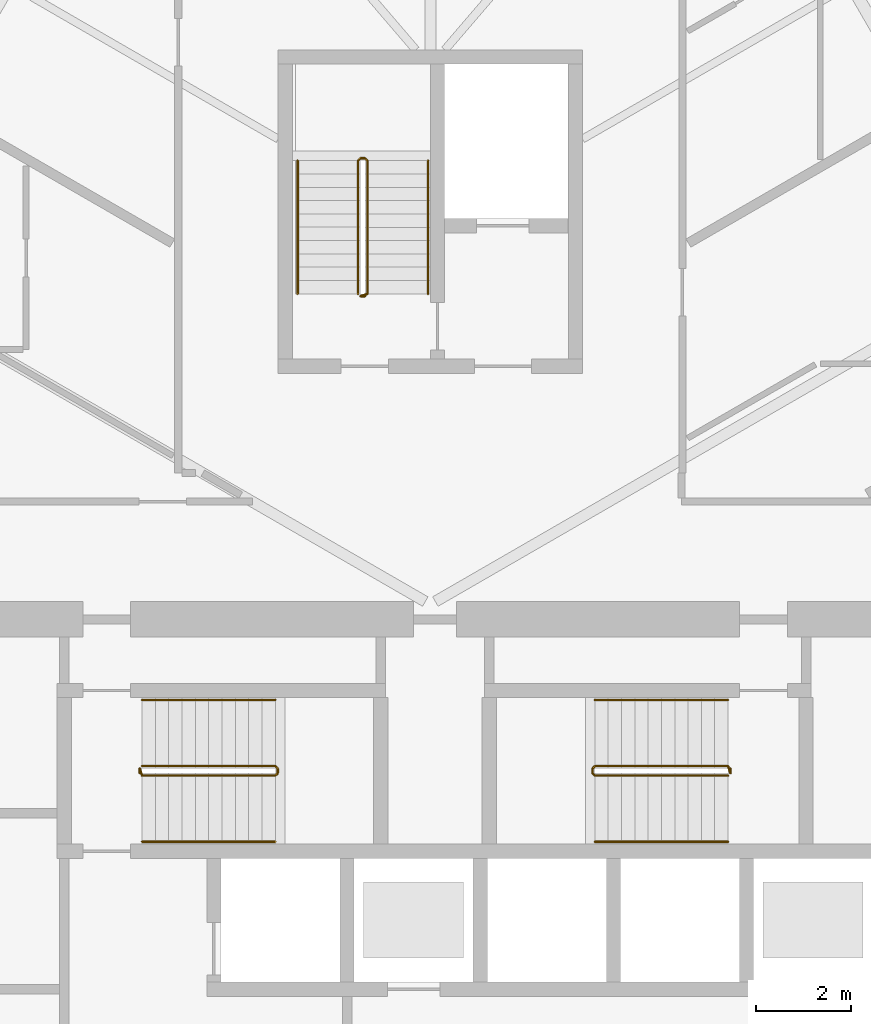
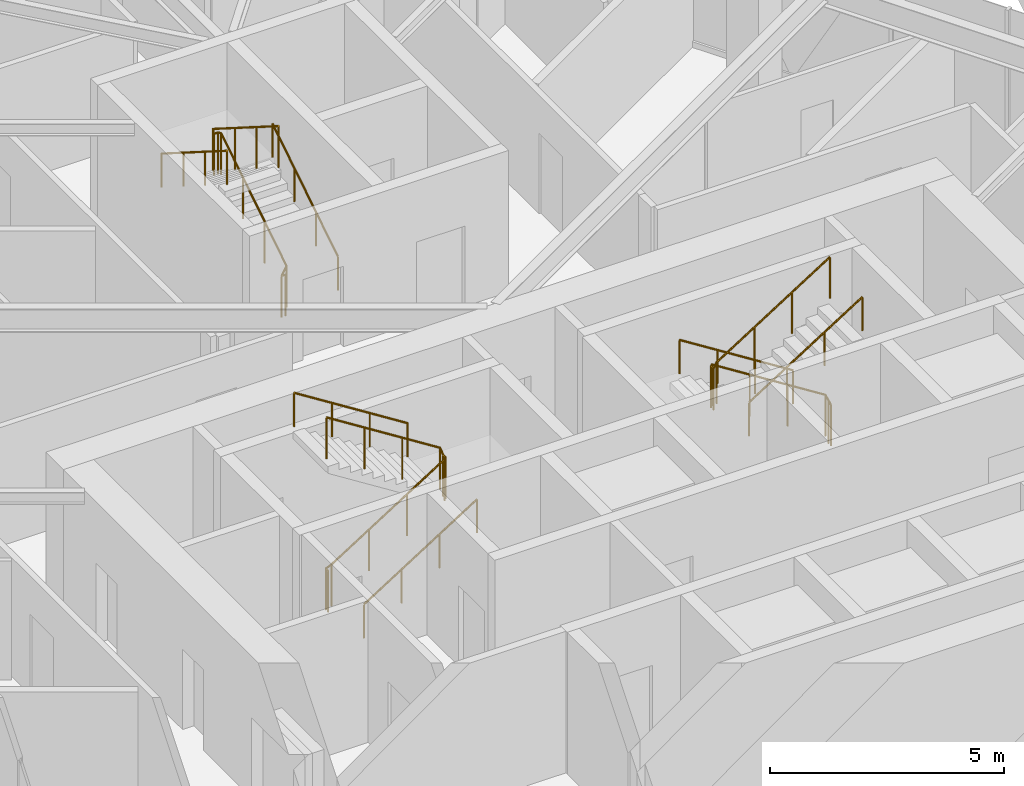
# One storey, part 22 of 23: 9 railings.
"""IFC4 building model written with IfcOpenShell, lengths in metres."""

from ifc_helpers import new_model, si_unit, direction, frame, origin, origin_2d, place, context, subcontext, project, spatial, circle, extrude, material, type_object, element, save


model = new_model("IFC4")

# Units and contexts
model_context = context("Model", 3, precision=1e-05, world=origin(), true_north=direction((0.0, 1.0)))
body_context = subcontext(model_context, "Body", "Model", "MODEL_VIEW")
ifc_project = project(units=[si_unit("LENGTHUNIT", "METRE"), si_unit("AREAUNIT", "SQUARE_METRE"), si_unit("VOLUMEUNIT", "CUBIC_METRE"), si_unit("PLANEANGLEUNIT", "RADIAN"), si_unit("MASSUNIT", "GRAM", prefix="KILO")], contexts=[model_context])

# Site, building, storey
site_placement = place(None, origin())
site = spatial("IfcSite", under=ifc_project, at=site_placement, CompositionType="ELEMENT")
building_placement = place(site_placement, origin())
building = spatial("IfcBuilding", under=site, at=building_placement, Name="Firuza Gate Tower and Library", CompositionType="ELEMENT")
storey_placement = place(building_placement, frame((0.0, 0.0, 202.60009765625)))
storey = spatial("IfcBuildingStorey", under=building, at=storey_placement, Name="L47", CompositionType="ELEMENT", Elevation=202.60009765625)

# Railings
ifc_material_1 = material(Name="Steel S355", Category="steel")
railing_type_1 = type_object("IfcRailingType", Name="Stair guard 1100", PredefinedType="GUARDRAIL", material=ifc_material_1)
railing_1_placement = place(storey_placement, frame((68.889892578125, 79.389892578125, 0.0)))
element("IfcRailing", 1, at=railing_1_placement, inside=storey, type_object=railing_type_1, Name="L47 ST1 stair guard 1", PredefinedType="GUARDRAIL", context=body_context, shape_type="SweptSolid", body=[
    extrude(circle(Radius=0.02392578125, at=origin_2d()), frame((0.0, 0.0, 1.076171875), z_axis=(0.0, 1.0, 0.0), x_axis=(-1.0, 0.0, 0.0)), (0.0, 0.0, 1.0), 0.10009765625),
    extrude(circle(Radius=0.02392578125, at=origin_2d()), frame((0.0, 0.10009765625, 1.076171875), z_axis=(0.210758951027, -0.631248760638, 0.74639511437), x_axis=(0.948528701346, 0.316691178788, 0.0)), (0.0, 0.0, 1.0), 0.237548828125),
    extrude(circle(Radius=0.02392578125, at=origin_2d()), frame((0.050048828125, -0.0498046875, 1.25341796875), z_axis=(0.844908973607, 0.0, 0.534910110503), x_axis=(0.0, 1.0, 0.0)), (0.0, 0.0, 1.0), 3.31396484375),
    extrude(circle(Radius=0.02392578125, at=origin_2d()), frame((2.85009765625, -0.0498046875, 3.02587890625), z_axis=(0.708833529934, 0.705375805398, 0.0), x_axis=(-0.705375805398, 0.708833529934, 0.0)), (0.0, 0.0, 1.0), 0.070556640625),
    extrude(circle(Radius=0.02392578125, at=origin_2d()), frame((2.900146484375, 0.0, 3.02587890625), z_axis=(0.0, 1.0, 0.0), x_axis=(-1.0, 0.0, 0.0)), (0.0, 0.0, 1.0), 0.10009765625),
    extrude(circle(Radius=0.02392578125, at=origin_2d()), frame((2.900146484375, 0.10009765625, 3.02587890625), z_axis=(-0.262233686654, 0.262233686654, 0.928691007369), x_axis=(-0.707106781187, -0.707106781187, 0.0)), (0.0, 0.0, 1.0), 0.19091796875),
    extrude(circle(Radius=0.02392578125, at=origin_2d()), frame((2.85009765625, 0.150146484375, 3.203125), z_axis=(-0.844908973607, 0.0, 0.534910110503), x_axis=(0.0, -1.0, 0.0)), (0.0, 0.0, 1.0), 3.31396484375),
    extrude(circle(Radius=0.02099609375, at=origin_2d()), origin(), (0.0, 0.0, 1.0), 1.052001953125),
    extrude(circle(Radius=0.02099609375, at=origin_2d()), frame((0.0, 0.10009765625, 0.0)), (0.0, 0.0, 1.0), 1.052001953125),
    extrude(circle(Radius=0.02099609375, at=origin_2d()), frame((0.050048828125, -0.0498046875, 0.17724609375)), (0.0, 0.0, 1.0), 1.052001953125),
    extrude(circle(Radius=0.02099609375, at=origin_2d()), frame((0.9833984375, -0.0498046875, 0.76806640625)), (0.0, 0.0, 1.0), 1.052001953125),
    extrude(circle(Radius=0.02099609375, at=origin_2d()), frame((1.916748046875, -0.0498046875, 1.359130859375)), (0.0, 0.0, 1.0), 1.052001953125),
    extrude(circle(Radius=0.02099609375, at=origin_2d()), frame((2.85009765625, -0.0498046875, 1.949951171875)), (0.0, 0.0, 1.0), 1.052001953125),
    extrude(circle(Radius=0.02099609375, at=origin_2d()), frame((2.900146484375, 0.0, 1.949951171875)), (0.0, 0.0, 1.0), 1.052001953125),
    extrude(circle(Radius=0.02099609375, at=origin_2d()), frame((2.900146484375, 0.10009765625, 1.949951171875)), (0.0, 0.0, 1.0), 1.052001953125),
    extrude(circle(Radius=0.02099609375, at=origin_2d()), frame((2.85009765625, 0.150146484375, 2.127197265625)), (0.0, 0.0, 1.0), 1.052001953125),
    extrude(circle(Radius=0.02099609375, at=origin_2d()), frame((1.916748046875, 0.150146484375, 2.718017578125)), (0.0, 0.0, 1.0), 1.052001953125),
    extrude(circle(Radius=0.02099609375, at=origin_2d()), frame((0.9833984375, 0.150146484375, 3.30908203125)), (0.0, 0.0, 1.0), 1.052001953125),
    extrude(circle(Radius=0.02099609375, at=origin_2d()), frame((0.050048828125, 0.150146484375, 3.89990234375)), (0.0, 0.0, 1.0), 1.052001953125),
])
railing_2_placement = place(storey_placement, frame((81.31005859375, 79.489990234375, 0.0)))
element("IfcRailing", 2, at=railing_2_placement, inside=storey, type_object=railing_type_1, Name="L47 ST2 stair guard 1", PredefinedType="GUARDRAIL", context=body_context, shape_type="SweptSolid", body=[
    extrude(circle(Radius=0.02392578125, at=origin_2d()), frame((0.0, 0.0, 1.076171875), z_axis=(0.0, -1.0, 0.0), x_axis=(1.0, 0.0, 0.0)), (0.0, 0.0, 1.0), 0.10009765625),
    extrude(circle(Radius=0.02392578125, at=origin_2d()), frame((0.0, -0.10009765625, 1.076171875), z_axis=(-0.210622194084, 0.631866582253, 0.74591079466), x_axis=(-0.948683298051, -0.316227766017, 0.0)), (0.0, 0.0, 1.0), 0.237548828125),
    extrude(circle(Radius=0.02392578125, at=origin_2d()), frame((-0.050048828125, 0.050048828125, 1.25341796875), z_axis=(-0.844908973607, 0.0, 0.534910110503), x_axis=(0.0, -1.0, 0.0)), (0.0, 0.0, 1.0), 3.31396484375),
    extrude(circle(Radius=0.02392578125, at=origin_2d()), frame((-2.85009765625, 0.050048828125, 3.02587890625), z_axis=(-0.707106781187, -0.707106781187, 0.0), x_axis=(0.707106781187, -0.707106781187, 0.0)), (0.0, 0.0, 1.0), 0.07080078125),
    extrude(circle(Radius=0.02392578125, at=origin_2d()), frame((-2.900146484375, 0.0, 3.02587890625), z_axis=(0.0, -1.0, 0.0), x_axis=(1.0, 0.0, 0.0)), (0.0, 0.0, 1.0), 0.10009765625),
    extrude(circle(Radius=0.02392578125, at=origin_2d()), frame((-2.900146484375, -0.10009765625, 3.02587890625), z_axis=(0.262321481514, -0.261041864531, 0.929001929653), x_axis=(0.705375805398, 0.708833529934, 0.0)), (0.0, 0.0, 1.0), 0.190673828125),
    extrude(circle(Radius=0.02392578125, at=origin_2d()), frame((-2.85009765625, -0.14990234375, 3.203125), z_axis=(0.844908973607, 0.0, 0.534910110503), x_axis=(0.0, 1.0, 0.0)), (0.0, 0.0, 1.0), 3.31396484375),
    extrude(circle(Radius=0.02099609375, at=origin_2d()), origin(), (0.0, 0.0, 1.0), 1.052001953125),
    extrude(circle(Radius=0.02099609375, at=origin_2d()), frame((0.0, -0.10009765625, 0.0)), (0.0, 0.0, 1.0), 1.052001953125),
    extrude(circle(Radius=0.02099609375, at=origin_2d()), frame((-0.050048828125, 0.050048828125, 0.17724609375)), (0.0, 0.0, 1.0), 1.052001953125),
    extrude(circle(Radius=0.02099609375, at=origin_2d()), frame((-0.9833984375, 0.050048828125, 0.76806640625)), (0.0, 0.0, 1.0), 1.052001953125),
    extrude(circle(Radius=0.02099609375, at=origin_2d()), frame((-1.916748046875, 0.050048828125, 1.359130859375)), (0.0, 0.0, 1.0), 1.052001953125),
    extrude(circle(Radius=0.02099609375, at=origin_2d()), frame((-2.85009765625, 0.050048828125, 1.949951171875)), (0.0, 0.0, 1.0), 1.052001953125),
    extrude(circle(Radius=0.02099609375, at=origin_2d()), frame((-2.900146484375, 0.0, 1.949951171875)), (0.0, 0.0, 1.0), 1.052001953125),
    extrude(circle(Radius=0.02099609375, at=origin_2d()), frame((-2.900146484375, -0.10009765625, 1.949951171875)), (0.0, 0.0, 1.0), 1.052001953125),
    extrude(circle(Radius=0.02099609375, at=origin_2d()), frame((-2.85009765625, -0.14990234375, 2.127197265625)), (0.0, 0.0, 1.0), 1.052001953125),
    extrude(circle(Radius=0.02099609375, at=origin_2d()), frame((-1.916748046875, -0.14990234375, 2.718017578125)), (0.0, 0.0, 1.0), 1.052001953125),
    extrude(circle(Radius=0.02099609375, at=origin_2d()), frame((-0.9833984375, -0.14990234375, 3.30908203125)), (0.0, 0.0, 1.0), 1.052001953125),
    extrude(circle(Radius=0.02099609375, at=origin_2d()), frame((-0.050048828125, -0.14990234375, 3.89990234375)), (0.0, 0.0, 1.0), 1.052001953125),
])
railing_3_placement = place(storey_placement, frame((73.6298828125, 89.419921875, 0.0)))
element("IfcRailing", 3, at=railing_3_placement, inside=storey, type_object=railing_type_1, Name="L47 ST3 stair guard 1", PredefinedType="GUARDRAIL", context=body_context, shape_type="SweptSolid", body=[
    extrude(circle(Radius=0.02392578125, at=origin_2d()), frame((0.0, 0.0, 1.076171875), z_axis=(-1.0, 0.0, 0.0), x_axis=(0.0, -1.0, 0.0)), (0.0, 0.0, 1.0), 0.099853515625),
    extrude(circle(Radius=0.02392578125, at=origin_2d()), frame((-0.099853515625, 0.0, 1.076171875), z_axis=(0.631248760638, 0.210758951027, 0.74639511437), x_axis=(-0.316691178788, 0.948528701346, 0.0)), (0.0, 0.0, 1.0), 0.237548828125),
    extrude(circle(Radius=0.02392578125, at=origin_2d()), frame((0.050048828125, 0.050048828125, 1.25341796875), z_axis=(0.0, 0.844908973607, 0.534910110503), x_axis=(-1.0, 0.0, 0.0)), (0.0, 0.0, 1.0), 3.31396484375),
    extrude(circle(Radius=0.02392578125, at=origin_2d()), frame((0.050048828125, 2.85009765625, 3.02587890625), z_axis=(-0.707106781187, 0.707106781187, 0.0), x_axis=(-0.707106781187, -0.707106781187, 0.0)), (0.0, 0.0, 1.0), 0.07080078125),
    extrude(circle(Radius=0.02392578125, at=origin_2d()), frame((0.0, 2.900146484375, 3.02587890625), z_axis=(-1.0, 0.0, 0.0), x_axis=(0.0, -1.0, 0.0)), (0.0, 0.0, 1.0), 0.099853515625),
    extrude(circle(Radius=0.02392578125, at=origin_2d()), frame((-0.099853515625, 2.900146484375, 3.02587890625), z_axis=(-0.262233686654, -0.262233686654, 0.928691007369), x_axis=(0.707106781187, -0.707106781187, 0.0)), (0.0, 0.0, 1.0), 0.19091796875),
    extrude(circle(Radius=0.02392578125, at=origin_2d()), frame((-0.14990234375, 2.85009765625, 3.203125), z_axis=(0.0, -0.844908973607, 0.534910110503), x_axis=(1.0, 0.0, 0.0)), (0.0, 0.0, 1.0), 3.31396484375),
    extrude(circle(Radius=0.02099609375, at=origin_2d()), origin(), (0.0, 0.0, 1.0), 1.052001953125),
    extrude(circle(Radius=0.02099609375, at=origin_2d()), frame((-0.099853515625, 0.0, 0.0)), (0.0, 0.0, 1.0), 1.052001953125),
    extrude(circle(Radius=0.02099609375, at=origin_2d()), frame((0.050048828125, 0.050048828125, 0.17724609375)), (0.0, 0.0, 1.0), 1.052001953125),
    extrude(circle(Radius=0.02099609375, at=origin_2d()), frame((0.050048828125, 0.9833984375, 0.76806640625)), (0.0, 0.0, 1.0), 1.052001953125),
    extrude(circle(Radius=0.02099609375, at=origin_2d()), frame((0.050048828125, 1.916748046875, 1.359130859375)), (0.0, 0.0, 1.0), 1.052001953125),
    extrude(circle(Radius=0.02099609375, at=origin_2d()), frame((0.050048828125, 2.85009765625, 1.949951171875)), (0.0, 0.0, 1.0), 1.052001953125),
    extrude(circle(Radius=0.02099609375, at=origin_2d()), frame((0.0, 2.900146484375, 1.949951171875)), (0.0, 0.0, 1.0), 1.052001953125),
    extrude(circle(Radius=0.02099609375, at=origin_2d()), frame((-0.099853515625, 2.900146484375, 1.949951171875)), (0.0, 0.0, 1.0), 1.052001953125),
    extrude(circle(Radius=0.02099609375, at=origin_2d()), frame((-0.14990234375, 2.85009765625, 2.127197265625)), (0.0, 0.0, 1.0), 1.052001953125),
    extrude(circle(Radius=0.02099609375, at=origin_2d()), frame((-0.14990234375, 1.916748046875, 2.718017578125)), (0.0, 0.0, 1.0), 1.052001953125),
    extrude(circle(Radius=0.02099609375, at=origin_2d()), frame((-0.14990234375, 0.9833984375, 3.30908203125)), (0.0, 0.0, 1.0), 1.052001953125),
    extrude(circle(Radius=0.02099609375, at=origin_2d()), frame((-0.14990234375, 0.050048828125, 3.89990234375)), (0.0, 0.0, 1.0), 1.052001953125),
])
ifc_material_2 = material(Name="Steel S355", Category="steel")
railing_type_2 = type_object("IfcRailingType", Name="Stair handrail 900", PredefinedType="HANDRAIL", material=ifc_material_2)
railing_4_placement = place(storey_placement, frame((68.93994140625, 77.949951171875, 0.17724609375)))
element("IfcRailing", 4, at=railing_4_placement, inside=storey, type_object=railing_type_2, Name="L47 ST1 stair handrail 1", PredefinedType="HANDRAIL", context=body_context, shape_type="SweptSolid", body=[
    extrude(circle(Radius=0.02392578125, at=origin_2d()), frame((0.0, 0.0, 0.8759765625), z_axis=(0.844908973607, 0.0, 0.534910110503), x_axis=(0.0, 1.0, 0.0)), (0.0, 0.0, 1.0), 3.31396484375),
    extrude(circle(Radius=0.02099609375, at=origin_2d()), origin(), (0.0, 0.0, 1.0), 0.851806640625),
    extrude(circle(Radius=0.02099609375, at=origin_2d()), frame((0.933349609375, 0.0, 0.5908203125)), (0.0, 0.0, 1.0), 0.851806640625),
    extrude(circle(Radius=0.02099609375, at=origin_2d()), frame((1.86669921875, 0.0, 1.181884765625)), (0.0, 0.0, 1.0), 0.851806640625),
    extrude(circle(Radius=0.02099609375, at=origin_2d()), frame((2.800048828125, 0.0, 1.772705078125)), (0.0, 0.0, 1.0), 0.851806640625),
])
for number, where, name in (
    (5, (71.739990234375, 80.929931640625, 2.127197265625), "L47 ST1 stair handrail 2"),
    (6, (81.260009765625, 80.929931640625, 0.17724609375), "L47 ST2 stair handrail 1"),
):
    element("IfcRailing", number, at=place(storey_placement, frame(where)), inside=storey, type_object=railing_type_2, Name=name, PredefinedType="HANDRAIL", context=body_context, shape_type="SweptSolid", body=[
        extrude(circle(Radius=0.02392578125, at=origin_2d()), frame((0.0, 0.0, 0.8759765625), z_axis=(-0.844908973607, 0.0, 0.534910110503), x_axis=(0.0, -1.0, 0.0)), (0.0, 0.0, 1.0), 3.31396484375),
        extrude(circle(Radius=0.02099609375, at=origin_2d()), origin(), (0.0, 0.0, 1.0), 0.851806640625),
        extrude(circle(Radius=0.02099609375, at=origin_2d()), frame((-0.933349609375, 0.0, 0.5908203125)), (0.0, 0.0, 1.0), 0.851806640625),
        extrude(circle(Radius=0.02099609375, at=origin_2d()), frame((-1.86669921875, 0.0, 1.181884765625)), (0.0, 0.0, 1.0), 0.851806640625),
        extrude(circle(Radius=0.02099609375, at=origin_2d()), frame((-2.800048828125, 0.0, 1.772705078125)), (0.0, 0.0, 1.0), 0.851806640625),
    ])
railing_5_placement = place(storey_placement, frame((78.4599609375, 77.949951171875, 2.127197265625)))
element("IfcRailing", 7, at=railing_5_placement, inside=storey, type_object=railing_type_2, Name="L47 ST2 stair handrail 2", PredefinedType="HANDRAIL", context=body_context, shape_type="SweptSolid", body=[
    extrude(circle(Radius=0.02392578125, at=origin_2d()), frame((0.0, 0.0, 0.8759765625), z_axis=(0.844908973607, 0.0, 0.534910110503), x_axis=(0.0, 1.0, 0.0)), (0.0, 0.0, 1.0), 3.31396484375),
    extrude(circle(Radius=0.02099609375, at=origin_2d()), origin(), (0.0, 0.0, 1.0), 0.851806640625),
    extrude(circle(Radius=0.02099609375, at=origin_2d()), frame((0.933349609375, 0.0, 0.5908203125)), (0.0, 0.0, 1.0), 0.851806640625),
    extrude(circle(Radius=0.02099609375, at=origin_2d()), frame((1.86669921875, 0.0, 1.181884765625)), (0.0, 0.0, 1.0), 0.851806640625),
    extrude(circle(Radius=0.02099609375, at=origin_2d()), frame((2.800048828125, 0.0, 1.772705078125)), (0.0, 0.0, 1.0), 0.851806640625),
])
railing_6_placement = place(storey_placement, frame((74.949951171875, 89.469970703125, 0.17724609375)))
element("IfcRailing", 8, at=railing_6_placement, inside=storey, type_object=railing_type_2, Name="L47 ST3 stair handrail 1", PredefinedType="HANDRAIL", context=body_context, shape_type="SweptSolid", body=[
    extrude(circle(Radius=0.02392578125, at=origin_2d()), frame((0.0, 0.0, 0.8759765625), z_axis=(0.0, 0.844908973607, 0.534910110503), x_axis=(-1.0, 0.0, 0.0)), (0.0, 0.0, 1.0), 3.31396484375),
    extrude(circle(Radius=0.02099609375, at=origin_2d()), origin(), (0.0, 0.0, 1.0), 0.851806640625),
    extrude(circle(Radius=0.02099609375, at=origin_2d()), frame((0.0, 0.933349609375, 0.5908203125)), (0.0, 0.0, 1.0), 0.851806640625),
    extrude(circle(Radius=0.02099609375, at=origin_2d()), frame((0.0, 1.86669921875, 1.181884765625)), (0.0, 0.0, 1.0), 0.851806640625),
    extrude(circle(Radius=0.02099609375, at=origin_2d()), frame((0.0, 2.800048828125, 1.772705078125)), (0.0, 0.0, 1.0), 0.851806640625),
])
railing_7_placement = place(storey_placement, frame((72.2099609375, 92.27001953125, 2.127197265625)))
element("IfcRailing", 9, at=railing_7_placement, inside=storey, type_object=railing_type_2, Name="L47 ST3 stair handrail 2", PredefinedType="HANDRAIL", context=body_context, shape_type="SweptSolid", body=[
    extrude(circle(Radius=0.02392578125, at=origin_2d()), frame((0.0, 0.0, 0.8759765625), z_axis=(0.0, -0.844908973607, 0.534910110503), x_axis=(1.0, 0.0, 0.0)), (0.0, 0.0, 1.0), 3.31396484375),
    extrude(circle(Radius=0.02099609375, at=origin_2d()), origin(), (0.0, 0.0, 1.0), 0.851806640625),
    extrude(circle(Radius=0.02099609375, at=origin_2d()), frame((0.0, -0.933349609375, 0.5908203125)), (0.0, 0.0, 1.0), 0.851806640625),
    extrude(circle(Radius=0.02099609375, at=origin_2d()), frame((0.0, -1.86669921875, 1.181884765625)), (0.0, 0.0, 1.0), 0.851806640625),
    extrude(circle(Radius=0.02099609375, at=origin_2d()), frame((0.0, -2.800048828125, 1.772705078125)), (0.0, 0.0, 1.0), 0.851806640625),
])

save(model, "model.ifc")
